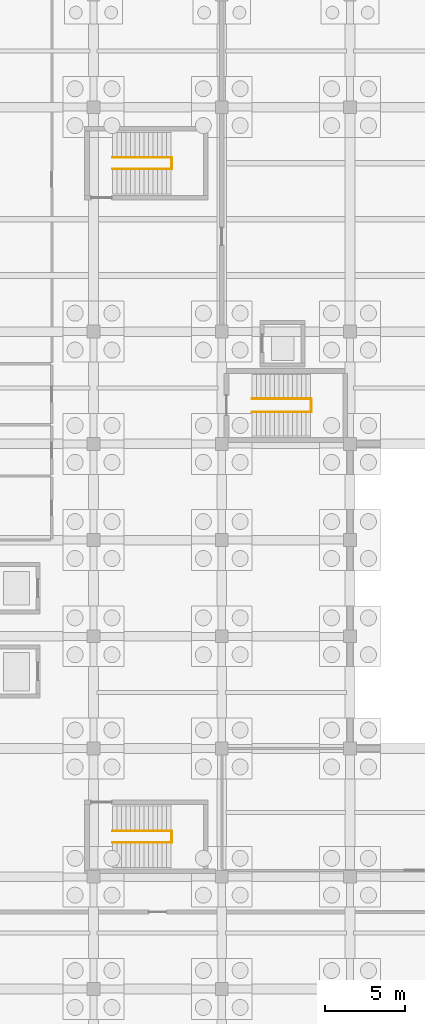
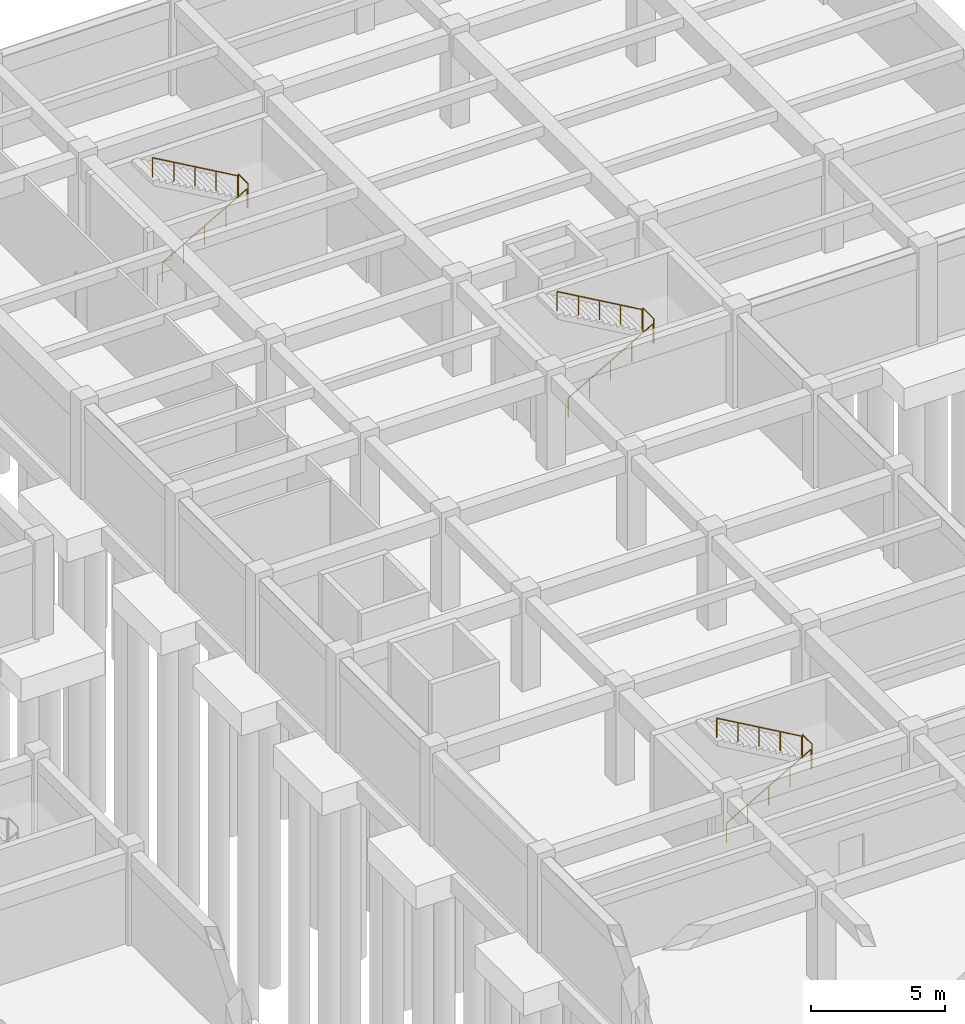
# One storey, part 27 of 28: 9 railings.
"""IFC4 building model written with IfcOpenShell, lengths in metres."""

from ifc_helpers import new_model, si_unit, direction, frame, origin, origin_2d, place, context, subcontext, project, spatial, circle, extrude, material, type_object, element, save


model = new_model("IFC4")

# Units and contexts
model_context = context("Model", 3, precision=1e-05, world=origin(), true_north=direction((0.0, 1.0)))
body_context = subcontext(model_context, "Body", "Model", "MODEL_VIEW")
ifc_project = project(units=[si_unit("LENGTHUNIT", "METRE"), si_unit("AREAUNIT", "SQUARE_METRE"), si_unit("VOLUMEUNIT", "CUBIC_METRE"), si_unit("PLANEANGLEUNIT", "RADIAN"), si_unit("MASSUNIT", "GRAM", prefix="KILO")], contexts=[model_context])

# Site, building, storey
site_placement = place(None, origin())
site = spatial("IfcSite", under=ifc_project, at=site_placement, CompositionType="ELEMENT")
building_placement = place(site_placement, origin())
building = spatial("IfcBuilding", under=site, at=building_placement, Name="Naurynzar Civic Courthouse", CompositionType="ELEMENT")
storey_placement = place(building_placement, frame((0.0, 0.0, -4.5)))
storey = spatial("IfcBuildingStorey", under=building, at=storey_placement, Name="B01", CompositionType="ELEMENT", Elevation=-4.5)

# Railings
ifc_material_1 = material(Name="Brushed Stainless Steel 304", Category="steel")
railing_type_1 = type_object("IfcRailingType", Name="RAIL-BAL-1100", PredefinedType="BALUSTRADE", material=ifc_material_1)
for number, where, name in (
    (1, (142.8798828125, 19.139892578125, 2.25), "Stair ST-V5A-B01 half-landing well guard"),
    (2, (142.8798828125, 61.139892578125, 2.25), "Stair ST-V5B-B01 half-landing well guard"),
):
    element("IfcRailing", number, at=place(storey_placement, frame(where)), inside=storey, type_object=railing_type_1, Name=name, PredefinedType="BALUSTRADE", context=body_context, shape_type="SweptSolid", body=[
        extrude(circle(Radius=0.02392578125, at=origin_2d()), frame((0.0, 0.0, 1.09619140625), z_axis=(0.0, 1.0, 0.0), x_axis=(-1.0, 0.0, 0.0)), (0.0, 0.0, 1.0), 0.72021484375),
        extrude(circle(Radius=0.02099609375, at=origin_2d()), origin(), (0.0, 0.0, 1.0), 1.072021484375),
        extrude(circle(Radius=0.02099609375, at=origin_2d()), frame((0.0, 0.72021484375, 0.0)), (0.0, 0.0, 1.0), 1.072021484375),
    ])
railing_1_placement = place(storey_placement, frame((151.580078125, 45.989990234375, 2.25)))
element("IfcRailing", 3, at=railing_1_placement, inside=storey, type_object=railing_type_1, Name="Stair ST-CUS-B01 half-landing well guard", PredefinedType="BALUSTRADE", context=body_context, shape_type="SweptSolid", body=[
    extrude(circle(Radius=0.02392578125, at=origin_2d()), frame((0.0, 0.0, 1.09619140625), z_axis=(0.0, 1.0, 0.0), x_axis=(-1.0, 0.0, 0.0)), (0.0, 0.0, 1.0), 0.820068359375),
    extrude(circle(Radius=0.02099609375, at=origin_2d()), origin(), (0.0, 0.0, 1.0), 1.072021484375),
    extrude(circle(Radius=0.02099609375, at=origin_2d()), frame((0.0, 0.820068359375, 0.0)), (0.0, 0.0, 1.0), 1.072021484375),
])
ifc_material_2 = material(Name="Brushed Stainless Steel 304", Category="steel")
railing_type_2 = type_object("IfcRailingType", Name="RAIL-HR-900", PredefinedType="HANDRAIL", material=ifc_material_2)
railing_2_placement = place(storey_placement, frame((139.199951171875, 19.139892578125, 0.16064453125)))
element("IfcRailing", 4, at=railing_2_placement, inside=storey, type_object=railing_type_2, Name="Stair ST-V5A-B01 flight 1 handrail", PredefinedType="HANDRAIL", context=body_context, shape_type="SweptSolid", body=[
    extrude(circle(Radius=0.02392578125, at=origin_2d()), frame((0.0, 0.0, 0.8759765625), z_axis=(0.867289372828, 0.0, 0.497804322781), x_axis=(0.0, 1.0, 0.0)), (0.0, 0.0, 1.0), 4.197021484375),
    extrude(circle(Radius=0.02099609375, at=origin_2d()), origin(), (0.0, 0.0, 1.0), 0.851806640625),
    extrude(circle(Radius=0.02099609375, at=origin_2d()), frame((0.91015625, 0.0, 0.5224609375)), (0.0, 0.0, 1.0), 0.851806640625),
    extrude(circle(Radius=0.02099609375, at=origin_2d()), frame((1.820068359375, 0.0, 1.044677734375)), (0.0, 0.0, 1.0), 0.851806640625),
    extrude(circle(Radius=0.02099609375, at=origin_2d()), frame((2.72998046875, 0.0, 1.56689453125)), (0.0, 0.0, 1.0), 0.851806640625),
    extrude(circle(Radius=0.02099609375, at=origin_2d()), frame((3.64013671875, 0.0, 2.08935546875)), (0.0, 0.0, 1.0), 0.851806640625),
])
railing_3_placement = place(storey_placement, frame((142.840087890625, 19.860107421875, 2.41064453125)))
element("IfcRailing", 5, at=railing_3_placement, inside=storey, type_object=railing_type_2, Name="Stair ST-V5A-B01 flight 2 handrail", PredefinedType="HANDRAIL", context=body_context, shape_type="SweptSolid", body=[
    extrude(circle(Radius=0.02392578125, at=origin_2d()), frame((0.0, 0.0, 0.8759765625), z_axis=(-0.867289372828, 0.0, 0.497804322781), x_axis=(0.0, -1.0, 0.0)), (0.0, 0.0, 1.0), 4.197021484375),
    extrude(circle(Radius=0.02099609375, at=origin_2d()), origin(), (0.0, 0.0, 1.0), 0.851806640625),
    extrude(circle(Radius=0.02099609375, at=origin_2d()), frame((-0.91015625, 0.0, 0.5224609375)), (0.0, 0.0, 1.0), 0.851806640625),
    extrude(circle(Radius=0.02099609375, at=origin_2d()), frame((-1.820068359375, 0.0, 1.044677734375)), (0.0, 0.0, 1.0), 0.851806640625),
    extrude(circle(Radius=0.02099609375, at=origin_2d()), frame((-2.72998046875, 0.0, 1.56689453125)), (0.0, 0.0, 1.0), 0.851806640625),
    extrude(circle(Radius=0.02099609375, at=origin_2d()), frame((-3.64013671875, 0.0, 2.08935546875)), (0.0, 0.0, 1.0), 0.851806640625),
])
railing_4_placement = place(storey_placement, frame((139.199951171875, 61.139892578125, 0.16064453125)))
element("IfcRailing", 6, at=railing_4_placement, inside=storey, type_object=railing_type_2, Name="Stair ST-V5B-B01 flight 1 handrail", PredefinedType="HANDRAIL", context=body_context, shape_type="SweptSolid", body=[
    extrude(circle(Radius=0.02392578125, at=origin_2d()), frame((0.0, 0.0, 0.8759765625), z_axis=(0.867289372828, 0.0, 0.497804322781), x_axis=(0.0, 1.0, 0.0)), (0.0, 0.0, 1.0), 4.197021484375),
    extrude(circle(Radius=0.02099609375, at=origin_2d()), origin(), (0.0, 0.0, 1.0), 0.851806640625),
    extrude(circle(Radius=0.02099609375, at=origin_2d()), frame((0.91015625, 0.0, 0.5224609375)), (0.0, 0.0, 1.0), 0.851806640625),
    extrude(circle(Radius=0.02099609375, at=origin_2d()), frame((1.820068359375, 0.0, 1.044677734375)), (0.0, 0.0, 1.0), 0.851806640625),
    extrude(circle(Radius=0.02099609375, at=origin_2d()), frame((2.72998046875, 0.0, 1.56689453125)), (0.0, 0.0, 1.0), 0.851806640625),
    extrude(circle(Radius=0.02099609375, at=origin_2d()), frame((3.64013671875, 0.0, 2.08935546875)), (0.0, 0.0, 1.0), 0.851806640625),
])
railing_5_placement = place(storey_placement, frame((142.840087890625, 61.860107421875, 2.41064453125)))
element("IfcRailing", 7, at=railing_5_placement, inside=storey, type_object=railing_type_2, Name="Stair ST-V5B-B01 flight 2 handrail", PredefinedType="HANDRAIL", context=body_context, shape_type="SweptSolid", body=[
    extrude(circle(Radius=0.02392578125, at=origin_2d()), frame((0.0, 0.0, 0.8759765625), z_axis=(-0.867289372828, 0.0, 0.497804322781), x_axis=(0.0, -1.0, 0.0)), (0.0, 0.0, 1.0), 4.197021484375),
    extrude(circle(Radius=0.02099609375, at=origin_2d()), origin(), (0.0, 0.0, 1.0), 0.851806640625),
    extrude(circle(Radius=0.02099609375, at=origin_2d()), frame((-0.91015625, 0.0, 0.5224609375)), (0.0, 0.0, 1.0), 0.851806640625),
    extrude(circle(Radius=0.02099609375, at=origin_2d()), frame((-1.820068359375, 0.0, 1.044677734375)), (0.0, 0.0, 1.0), 0.851806640625),
    extrude(circle(Radius=0.02099609375, at=origin_2d()), frame((-2.72998046875, 0.0, 1.56689453125)), (0.0, 0.0, 1.0), 0.851806640625),
    extrude(circle(Radius=0.02099609375, at=origin_2d()), frame((-3.64013671875, 0.0, 2.08935546875)), (0.0, 0.0, 1.0), 0.851806640625),
])
railing_6_placement = place(storey_placement, frame((147.89990234375, 45.989990234375, 0.16064453125)))
element("IfcRailing", 8, at=railing_6_placement, inside=storey, type_object=railing_type_2, Name="Stair ST-CUS-B01 flight 1 handrail", PredefinedType="HANDRAIL", context=body_context, shape_type="SweptSolid", body=[
    extrude(circle(Radius=0.02392578125, at=origin_2d()), frame((0.0, 0.0, 0.8759765625), z_axis=(0.867289372828, 0.0, 0.497804322781), x_axis=(0.0, 1.0, 0.0)), (0.0, 0.0, 1.0), 4.197021484375),
    extrude(circle(Radius=0.02099609375, at=origin_2d()), origin(), (0.0, 0.0, 1.0), 0.851806640625),
    extrude(circle(Radius=0.02099609375, at=origin_2d()), frame((0.91015625, 0.0, 0.5224609375)), (0.0, 0.0, 1.0), 0.851806640625),
    extrude(circle(Radius=0.02099609375, at=origin_2d()), frame((1.820068359375, 0.0, 1.044677734375)), (0.0, 0.0, 1.0), 0.851806640625),
    extrude(circle(Radius=0.02099609375, at=origin_2d()), frame((2.72998046875, 0.0, 1.56689453125)), (0.0, 0.0, 1.0), 0.851806640625),
    extrude(circle(Radius=0.02099609375, at=origin_2d()), frame((3.64013671875, 0.0, 2.08935546875)), (0.0, 0.0, 1.0), 0.851806640625),
])
railing_7_placement = place(storey_placement, frame((151.5400390625, 46.81005859375, 2.41064453125)))
element("IfcRailing", 9, at=railing_7_placement, inside=storey, type_object=railing_type_2, Name="Stair ST-CUS-B01 flight 2 handrail", PredefinedType="HANDRAIL", context=body_context, shape_type="SweptSolid", body=[
    extrude(circle(Radius=0.02392578125, at=origin_2d()), frame((0.0, 0.0, 0.8759765625), z_axis=(-0.867289372828, 0.0, 0.497804322781), x_axis=(0.0, -1.0, 0.0)), (0.0, 0.0, 1.0), 4.197021484375),
    extrude(circle(Radius=0.02099609375, at=origin_2d()), origin(), (0.0, 0.0, 1.0), 0.851806640625),
    extrude(circle(Radius=0.02099609375, at=origin_2d()), frame((-0.91015625, 0.0, 0.5224609375)), (0.0, 0.0, 1.0), 0.851806640625),
    extrude(circle(Radius=0.02099609375, at=origin_2d()), frame((-1.820068359375, 0.0, 1.044677734375)), (0.0, 0.0, 1.0), 0.851806640625),
    extrude(circle(Radius=0.02099609375, at=origin_2d()), frame((-2.72998046875, 0.0, 1.56689453125)), (0.0, 0.0, 1.0), 0.851806640625),
    extrude(circle(Radius=0.02099609375, at=origin_2d()), frame((-3.64013671875, 0.0, 2.08935546875)), (0.0, 0.0, 1.0), 0.851806640625),
])

save(model, "model.ifc")
